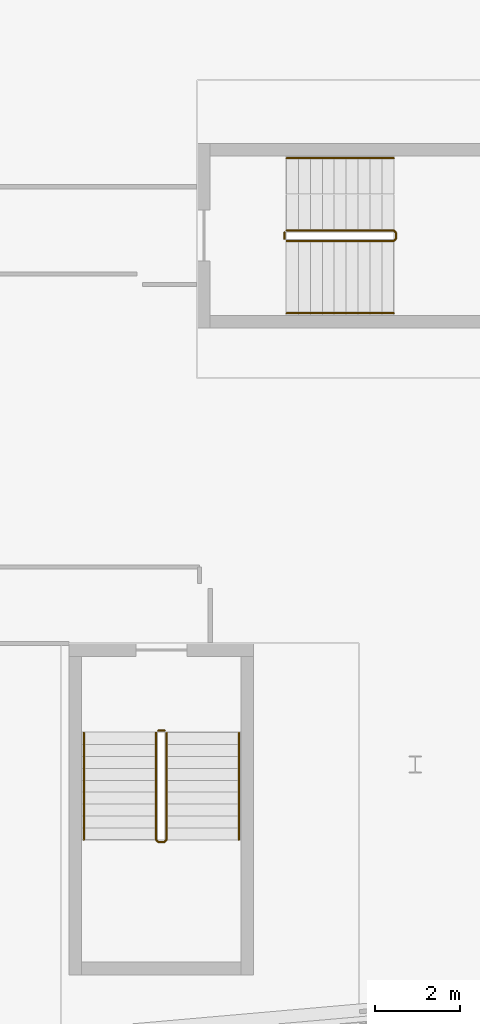
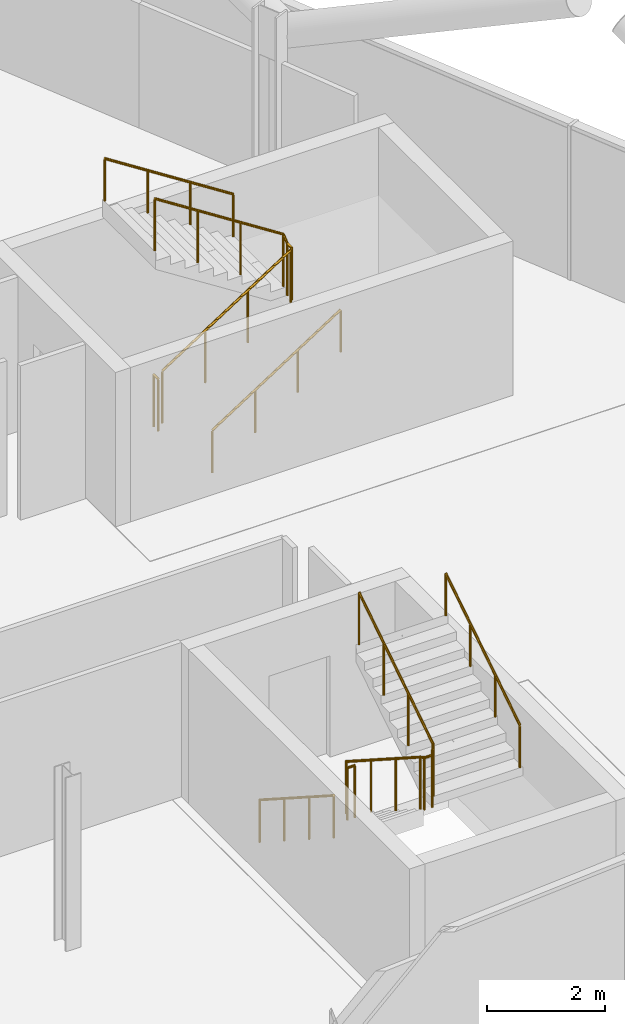
# One storey, part 24 of 25: 8 railings.
"""IFC4 building model written with IfcOpenShell, lengths in metres."""

import ifcopenshell
import ifcopenshell.guid

model = None  # the IFC model being written
_history = None  # IfcOwnerHistory: only IFC2X3 demands one
_inside = {}  # id of a spatial element -> (the spatial element, [elements in it])
_under = {}  # id of a project, library or spatial element -> (it, [spatial elements below it])
_declared = {}  # id of a project -> (the project, [libraries it declares])
_typed = {}  # id of a type object -> (the type object, [elements of that type])
_made_of = {}  # id of a material, layer set ... -> (it, [elements and type objects made of it])


def new_model(schema):
    """Start an empty IFC model of exactly this schema.

    Asked for "IFC4X3", IfcOpenShell would pick the latest addendum, in which some entities
    have other attributes; the version numbers below select the first issue.
    IFC2X3 requires an IfcOwnerHistory on every rooted entity: one is made here for all.
    """
    global model, _history
    if schema == "IFC4X3":
        model = ifcopenshell.file(schema_version=(4, 3, 0, 0))
    else:
        model = ifcopenshell.file(schema=schema)
    _inside.clear()
    _under.clear()
    _declared.clear()
    _typed.clear()
    _made_of.clear()
    _history = None
    if model.schema == "IFC2X3":
        org = make("IfcOrganization", Name="unknown")
        user = make(
            "IfcPersonAndOrganization",
            ThePerson=make("IfcPerson", FamilyName="unknown"),
            TheOrganization=org,
        )
        app = make(
            "IfcApplication",
            ApplicationDeveloper=org,
            Version="unknown",
            ApplicationFullName="unknown",
            ApplicationIdentifier="unknown",
        )
        _history = make(
            "IfcOwnerHistory",
            OwningUser=user,
            OwningApplication=app,
            ChangeAction="ADDED",
            CreationDate=0,
        )
    return model


def make(cls, **values):
    """One entity of the class cls with the attributes given. An attribute that is None is left unset."""
    return model.create_entity(
        cls, **{name: value for name, value in values.items() if value is not None}
    )


def rooted(cls, **values):
    """An entity with a GlobalId (a new one), such as an element, a storey or a relation."""
    return make(cls, GlobalId=ifcopenshell.guid.new(), OwnerHistory=_history, **values)


def si_unit(unit_type, name, prefix=None):
    """IfcSIUnit, for example si_unit("LENGTHUNIT", "METRE", prefix="MILLI")."""
    return make("IfcSIUnit", UnitType=unit_type, Prefix=prefix, Name=name)


def assignment(units):
    """IfcUnitAssignment: the units of a project."""
    return None if units is None else make("IfcUnitAssignment", Units=units)


def point(xyz):
    """IfcCartesianPoint."""
    return None if xyz is None else make("IfcCartesianPoint", Coordinates=xyz)


def direction(xyz):
    """IfcDirection."""
    return None if xyz is None else make("IfcDirection", DirectionRatios=xyz)


def frame(location, z_axis=None, x_axis=None):
    """IfcAxis2Placement3D, a coordinate frame: its origin and axes. An axis left out is left unset."""
    return make(
        "IfcAxis2Placement3D",
        Location=point(location),
        Axis=direction(z_axis),
        RefDirection=direction(x_axis),
    )


def frame_2d(location, x_axis=None):
    """IfcAxis2Placement2D, a coordinate frame in the plane: its origin and x axis."""
    return make(
        "IfcAxis2Placement2D", Location=point(location), RefDirection=direction(x_axis)
    )


def origin():
    """The frame at (0, 0, 0) with its axes left unset."""
    return frame((0.0, 0.0, 0.0))


def origin_2d():
    """The frame at (0, 0) in the plane with its x axis left unset."""
    return frame_2d((0.0, 0.0))


def place(relative_to, where):
    """IfcLocalPlacement: puts the frame where relative to a parent placement (None: the world)."""
    return make(
        "IfcLocalPlacement", PlacementRelTo=relative_to, RelativePlacement=where
    )


def context(
    kind, dimensions, precision=None, world=None, true_north=None, identifier=None
):
    """IfcGeometricRepresentationContext, for example the 3D "Model" context."""
    return make(
        "IfcGeometricRepresentationContext",
        ContextIdentifier=identifier,
        ContextType=kind,
        CoordinateSpaceDimension=dimensions,
        Precision=precision,
        WorldCoordinateSystem=world,
        TrueNorth=true_north,
    )


def subcontext(parent, identifier, kind, view, scale=None):
    """IfcGeometricRepresentationSubContext, for example "Body" below "Model"."""
    return make(
        "IfcGeometricRepresentationSubContext",
        ContextIdentifier=identifier,
        ContextType=kind,
        ParentContext=parent,
        TargetScale=scale,
        TargetView=view,
    )


def project(units=None, contexts=None):
    """IfcProject with its units and contexts."""
    return rooted(
        "IfcProject",
        Name="project",
        RepresentationContexts=contexts,
        UnitsInContext=assignment(units),
    )


def spatial(cls, under=None, at=None, **own):
    """A site, building, storey or space (cls), placed at a placement, below another one or the project."""
    s = rooted(cls, ObjectPlacement=at, **own)
    if under is not None:
        _under.setdefault(under.id(), (under, []))[1].append(s)
    return s


def profile(cls, at=None, kind="AREA", **sizes):
    """A parametric profile (cls). Its sizes go by their IFC names, for example OverallWidth=200.0."""
    return make(cls, ProfileType=kind, Position=at, **sizes)


def circle(**sizes):
    """IfcCircleProfileDef."""
    return profile("IfcCircleProfileDef", **sizes)


def extrude(swept, where, along, depth):
    """IfcExtrudedAreaSolid: the profile swept, set in the frame where, extruded along a direction by depth."""
    return make(
        "IfcExtrudedAreaSolid",
        SweptArea=swept,
        Position=where,
        ExtrudedDirection=direction(along),
        Depth=depth,
    )


def shape(context_of_items, identifier, shape_type, items):
    """IfcShapeRepresentation: the items that make up one representation, for example the "Body"."""
    return make(
        "IfcShapeRepresentation",
        ContextOfItems=context_of_items,
        RepresentationIdentifier=identifier,
        RepresentationType=shape_type,
        Items=items,
    )


def material(Name=None, Category=None):
    """IfcMaterial."""
    return make("IfcMaterial", Name=Name, Category=Category)


def made_of(thing, what):
    """Note that an element or type object is made of a material, layer set ...; save() writes the relation."""
    if what is not None:
        _made_of.setdefault(what.id(), (what, []))[1].append(thing)
    return thing


def type_object(cls, material=None, **own):
    """A type object (cls), such as IfcWallType, which elements share."""
    return made_of(rooted(cls, **own), material)


def element(
    cls,
    number,
    at=None,
    inside=None,
    cuts=None,
    type_object=None,
    material=None,
    context=None,
    identifier="Body",
    shape_type=None,
    held_by="IfcProductDefinitionShape",
    body=None,
    shapes=None,
    **own,
):
    """One element of the class cls, such as IfcWall. Its Tag is "e" and its number.

    at: its placement. inside: the storey or other place that contains it. cuts: it is an
    opening in that element (IfcRelVoidsElement). A single representation is given by context,
    identifier, shape_type and body (its items); several are given by shapes. held_by: the class
    of the entity that holds the representations. save() writes the other relations.
    """
    e = rooted(cls, Tag="e%d" % number, ObjectPlacement=at, **own)
    if body is not None:
        shapes = [shape(context, identifier, shape_type, body)]
    if shapes is not None:
        e.Representation = make(held_by, Representations=shapes)
    if inside is not None:
        _inside.setdefault(inside.id(), (inside, []))[1].append(e)
    if cuts is not None:
        rooted(
            "IfcRelVoidsElement", RelatingBuildingElement=cuts, RelatedOpeningElement=e
        )
    if type_object is not None:
        _typed.setdefault(type_object.id(), (type_object, []))[1].append(e)
    return made_of(e, material)


def aggregate(whole, parts):
    """IfcRelAggregates: a whole, such as a stair, and the parts it consists of."""
    return rooted("IfcRelAggregates", RelatingObject=whole, RelatedObjects=parts)


def save(model, path):
    """Write the relations noted so far, then the file.

    IfcRelAggregates (storeys below a building ...), IfcRelContainedInSpatialStructure (elements
    in a storey), IfcRelDefinesByType, IfcRelAssociatesMaterial and IfcRelDeclares: one each for
    every whole, place, type object, material and project.
    """
    for whole, parts in _under.values():
        aggregate(whole, parts)
    for where, things in _inside.values():
        rooted(
            "IfcRelContainedInSpatialStructure",
            RelatedElements=things,
            RelatingStructure=where,
        )
    for kind, things in _typed.values():
        rooted("IfcRelDefinesByType", RelatedObjects=things, RelatingType=kind)
    for what, things in _made_of.values():
        rooted("IfcRelAssociatesMaterial", RelatedObjects=things, RelatingMaterial=what)
    for by, libraries in _declared.values():
        rooted("IfcRelDeclares", RelatingContext=by, RelatedDefinitions=libraries)
    model.write(path)


model = new_model("IFC4")

# Units and contexts
model_context = context("Model", 3, precision=1e-05, world=origin(), true_north=direction((0.0, 1.0)))
body_context = subcontext(model_context, "Body", "Model", "MODEL_VIEW")
ifc_project = project(units=[si_unit("LENGTHUNIT", "METRE"), si_unit("AREAUNIT", "SQUARE_METRE"), si_unit("VOLUMEUNIT", "CUBIC_METRE"), si_unit("PLANEANGLEUNIT", "RADIAN"), si_unit("MASSUNIT", "GRAM", prefix="KILO")], contexts=[model_context])

# Site, building, storey
site_placement = place(None, origin())
site = spatial("IfcSite", under=ifc_project, at=site_placement, CompositionType="ELEMENT")
building_placement = place(site_placement, origin())
building = spatial("IfcBuilding", under=site, at=building_placement, Name="Wharfspan Tower", CompositionType="ELEMENT")
storey_placement = place(building_placement, frame((0.0, 0.0, 239.5)))
storey = spatial("IfcBuildingStorey", under=building, at=storey_placement, Name="L60", CompositionType="ELEMENT", Elevation=239.5)

# Railings
ifc_material = material(Name="Steel S355J2", Category="steel")
railing_type_1 = type_object("IfcRailingType", Name="Stair guard 1100", PredefinedType="GUARDRAIL", material=ifc_material)
railing_1_placement = place(storey_placement, frame((65.893799, 12.246094, 0.179932)))
element("IfcRailing", 1, at=railing_1_placement, inside=storey, type_object=railing_type_1, Name="L60 ST5 stair guard 1", PredefinedType="GUARDRAIL", context=body_context, shape_type="SweptSolid", body=[
    extrude(circle(Radius=0.023926, at=origin_2d()), frame((0.0, 0.0, 1.076172), z_axis=(0.0, -0.841163, 0.540782), x_axis=(1.0, 0.0, 0.0)), (0.0, 0.0, 1.0), 2.99585),
    extrude(circle(Radius=0.023926, at=origin_2d()), frame((0.0, -2.52002, 2.696289), z_axis=(0.708834, -0.705376, 0.0), x_axis=(0.705376, 0.708834, 0.0)), (0.0, 0.0, 1.0), 0.070557),
    extrude(circle(Radius=0.023926, at=origin_2d()), frame((0.050049, -2.569824, 2.696289), z_axis=(1.0, 0.0, 0.0), x_axis=(0.0, 1.0, 0.0)), (0.0, 0.0, 1.0), 0.149902),
    extrude(circle(Radius=0.023926, at=origin_2d()), frame((0.199951, -2.569824, 2.696289), z_axis=(0.258932, 0.257669, 0.930892), x_axis=(-0.705372, 0.708833, -1e-06)), (0.0, 0.0, 1.0), 0.193359),
    extrude(circle(Radius=0.023926, at=origin_2d()), frame((0.25, -2.52002, 2.875977), z_axis=(0.0, 0.841163, 0.540782), x_axis=(-1.0, 0.0, 0.0)), (0.0, 0.0, 1.0), 2.99585),
    extrude(circle(Radius=0.020996, at=origin_2d()), origin(), (0.0, 0.0, 1.0), 1.052002),
    extrude(circle(Radius=0.020996, at=origin_2d()), frame((0.0, -0.840088, 0.540039)), (0.0, 0.0, 1.0), 1.052002),
    extrude(circle(Radius=0.020996, at=origin_2d()), frame((0.0, -1.679932, 1.080078)), (0.0, 0.0, 1.0), 1.052002),
    extrude(circle(Radius=0.020996, at=origin_2d()), frame((0.0, -2.52002, 1.620117)), (0.0, 0.0, 1.0), 1.052002),
    extrude(circle(Radius=0.020996, at=origin_2d()), frame((0.050049, -2.569824, 1.620117)), (0.0, 0.0, 1.0), 1.052002),
    extrude(circle(Radius=0.020996, at=origin_2d()), frame((0.199951, -2.569824, 1.620117)), (0.0, 0.0, 1.0), 1.052002),
    extrude(circle(Radius=0.020996, at=origin_2d()), frame((0.25, -2.52002, 1.800049)), (0.0, 0.0, 1.0), 1.052002),
    extrude(circle(Radius=0.020996, at=origin_2d()), frame((0.25, -1.679932, 2.340088)), (0.0, 0.0, 1.0), 1.052002),
    extrude(circle(Radius=0.020996, at=origin_2d()), frame((0.25, -0.840088, 2.880127)), (0.0, 0.0, 1.0), 1.052002),
    extrude(circle(Radius=0.020996, at=origin_2d()), frame((0.25, 0.0, 3.420166)), (0.0, 0.0, 1.0), 1.052002),
])
railing_2_placement = place(storey_placement, frame((65.943848, 12.296143, 0.0)))
element("IfcRailing", 2, at=railing_2_placement, inside=storey, type_object=railing_type_1, Name="L60 ST5 stair guard 2", PredefinedType="GUARDRAIL", context=body_context, shape_type="SweptSolid", body=[
    extrude(circle(Radius=0.023926, at=origin_2d()), frame((0.0, 0.0, 1.076172), z_axis=(1.0, 0.0, 0.0), x_axis=(0.0, 1.0, 0.0)), (0.0, 0.0, 1.0), 0.149902),
    extrude(circle(Radius=0.020996, at=origin_2d()), origin(), (0.0, 0.0, 1.0), 1.052002),
    extrude(circle(Radius=0.020996, at=origin_2d()), frame((0.149902, 0.0, 0.0)), (0.0, 0.0, 1.0), 1.052002),
])
railing_3_placement = place(storey_placement, frame((68.969482, 23.824951, 0.179932)))
element("IfcRailing", 3, at=railing_3_placement, inside=storey, type_object=railing_type_1, Name="L60 ST6 stair guard 1", PredefinedType="GUARDRAIL", context=body_context, shape_type="SweptSolid", body=[
    extrude(circle(Radius=0.023926, at=origin_2d()), frame((0.0, 0.0, 1.076172), z_axis=(0.841163, 0.0, 0.540782), x_axis=(0.0, 1.0, 0.0)), (0.0, 0.0, 1.0), 2.99585),
    extrude(circle(Radius=0.023926, at=origin_2d()), frame((2.52002, 0.0, 2.696289), z_axis=(0.707107, 0.707107, 0.0), x_axis=(-0.707107, 0.707107, 0.0)), (0.0, 0.0, 1.0), 0.070801),
    extrude(circle(Radius=0.023926, at=origin_2d()), frame((2.570068, 0.050049, 2.696289), z_axis=(0.0, 1.0, 0.0), x_axis=(-1.0, 0.0, 0.0)), (0.0, 0.0, 1.0), 0.149902),
    extrude(circle(Radius=0.023926, at=origin_2d()), frame((2.570068, 0.199951, 2.696289), z_axis=(-0.258848, 0.258848, 0.930589), x_axis=(-0.707107, -0.707107, 0.0)), (0.0, 0.0, 1.0), 0.193359),
    extrude(circle(Radius=0.023926, at=origin_2d()), frame((2.52002, 0.25, 2.875977), z_axis=(-0.841163, 0.0, 0.540782), x_axis=(0.0, -1.0, 0.0)), (0.0, 0.0, 1.0), 2.99585),
    extrude(circle(Radius=0.020996, at=origin_2d()), origin(), (0.0, 0.0, 1.0), 1.052002),
    extrude(circle(Radius=0.020996, at=origin_2d()), frame((0.840088, 0.0, 0.540039)), (0.0, 0.0, 1.0), 1.052002),
    extrude(circle(Radius=0.020996, at=origin_2d()), frame((1.679932, 0.0, 1.080078)), (0.0, 0.0, 1.0), 1.052002),
    extrude(circle(Radius=0.020996, at=origin_2d()), frame((2.52002, 0.0, 1.620117)), (0.0, 0.0, 1.0), 1.052002),
    extrude(circle(Radius=0.020996, at=origin_2d()), frame((2.570068, 0.050049, 1.620117)), (0.0, 0.0, 1.0), 1.052002),
    extrude(circle(Radius=0.020996, at=origin_2d()), frame((2.570068, 0.199951, 1.620117)), (0.0, 0.0, 1.0), 1.052002),
    extrude(circle(Radius=0.020996, at=origin_2d()), frame((2.52002, 0.25, 1.800049)), (0.0, 0.0, 1.0), 1.052002),
    extrude(circle(Radius=0.020996, at=origin_2d()), frame((1.679932, 0.25, 2.340088)), (0.0, 0.0, 1.0), 1.052002),
    extrude(circle(Radius=0.020996, at=origin_2d()), frame((0.840088, 0.25, 2.880127)), (0.0, 0.0, 1.0), 1.052002),
    extrude(circle(Radius=0.020996, at=origin_2d()), frame((0.0, 0.25, 3.420166)), (0.0, 0.0, 1.0), 1.052002),
])
railing_4_placement = place(storey_placement, frame((68.919678, 23.875, 0.0)))
element("IfcRailing", 4, at=railing_4_placement, inside=storey, type_object=railing_type_1, Name="L60 ST6 stair guard 2", PredefinedType="GUARDRAIL", context=body_context, shape_type="SweptSolid", body=[
    extrude(circle(Radius=0.023926, at=origin_2d()), frame((0.0, 0.0, 1.076172), z_axis=(0.0, 1.0, 0.0), x_axis=(-1.0, 0.0, 0.0)), (0.0, 0.0, 1.0), 0.149902),
    extrude(circle(Radius=0.020996, at=origin_2d()), origin(), (0.0, 0.0, 1.0), 1.052002),
    extrude(circle(Radius=0.020996, at=origin_2d()), frame((0.0, 0.149902, 0.0)), (0.0, 0.0, 1.0), 1.052002),
])
railing_type_2 = type_object("IfcRailingType", Name="Stair handrail 900", PredefinedType="HANDRAIL", material=ifc_material)
railing_5_placement = place(storey_placement, frame((64.193848, 12.246094, 0.179932)))
element("IfcRailing", 5, at=railing_5_placement, inside=storey, type_object=railing_type_2, Name="L60 ST5 stair handrail 1", PredefinedType="HANDRAIL", context=body_context, shape_type="SweptSolid", body=[
    extrude(circle(Radius=0.023926, at=origin_2d()), frame((0.0, 0.0, 0.875977), z_axis=(0.0, -0.841163, 0.540782), x_axis=(1.0, 0.0, 0.0)), (0.0, 0.0, 1.0), 2.99585),
    extrude(circle(Radius=0.020996, at=origin_2d()), origin(), (0.0, 0.0, 1.0), 0.851807),
    extrude(circle(Radius=0.020996, at=origin_2d()), frame((0.0, -0.840088, 0.540039)), (0.0, 0.0, 1.0), 0.851807),
    extrude(circle(Radius=0.020996, at=origin_2d()), frame((0.0, -1.679932, 1.080078)), (0.0, 0.0, 1.0), 0.851807),
    extrude(circle(Radius=0.020996, at=origin_2d()), frame((0.0, -2.52002, 1.620117)), (0.0, 0.0, 1.0), 0.851807),
])
railing_6_placement = place(storey_placement, frame((67.84375, 9.726074, 1.97998)))
element("IfcRailing", 6, at=railing_6_placement, inside=storey, type_object=railing_type_2, Name="L60 ST5 stair handrail 2", PredefinedType="HANDRAIL", context=body_context, shape_type="SweptSolid", body=[
    extrude(circle(Radius=0.023926, at=origin_2d()), frame((0.0, 0.0, 0.875977), z_axis=(0.0, 0.841163, 0.540782), x_axis=(-1.0, 0.0, 0.0)), (0.0, 0.0, 1.0), 2.99585),
    extrude(circle(Radius=0.020996, at=origin_2d()), origin(), (0.0, 0.0, 1.0), 0.851807),
    extrude(circle(Radius=0.020996, at=origin_2d()), frame((0.0, 0.840088, 0.540039)), (0.0, 0.0, 1.0), 0.851807),
    extrude(circle(Radius=0.020996, at=origin_2d()), frame((0.0, 1.679932, 1.080078)), (0.0, 0.0, 1.0), 0.851807),
    extrude(circle(Radius=0.020996, at=origin_2d()), frame((0.0, 2.52002, 1.620117)), (0.0, 0.0, 1.0), 0.851807),
])
railing_7_placement = place(storey_placement, frame((68.969482, 22.125, 0.179932)))
element("IfcRailing", 7, at=railing_7_placement, inside=storey, type_object=railing_type_2, Name="L60 ST6 stair handrail 1", PredefinedType="HANDRAIL", context=body_context, shape_type="SweptSolid", body=[
    extrude(circle(Radius=0.023926, at=origin_2d()), frame((0.0, 0.0, 0.875977), z_axis=(0.841163, 0.0, 0.540782), x_axis=(0.0, 1.0, 0.0)), (0.0, 0.0, 1.0), 2.99585),
    extrude(circle(Radius=0.020996, at=origin_2d()), origin(), (0.0, 0.0, 1.0), 0.851807),
    extrude(circle(Radius=0.020996, at=origin_2d()), frame((0.840088, 0.0, 0.540039)), (0.0, 0.0, 1.0), 0.851807),
    extrude(circle(Radius=0.020996, at=origin_2d()), frame((1.679932, 0.0, 1.080078)), (0.0, 0.0, 1.0), 0.851807),
    extrude(circle(Radius=0.020996, at=origin_2d()), frame((2.52002, 0.0, 1.620117)), (0.0, 0.0, 1.0), 0.851807),
])
railing_8_placement = place(storey_placement, frame((71.489502, 25.774902, 1.97998)))
element("IfcRailing", 8, at=railing_8_placement, inside=storey, type_object=railing_type_2, Name="L60 ST6 stair handrail 2", PredefinedType="HANDRAIL", context=body_context, shape_type="SweptSolid", body=[
    extrude(circle(Radius=0.023926, at=origin_2d()), frame((0.0, 0.0, 0.875977), z_axis=(-0.841163, 0.0, 0.540782), x_axis=(0.0, -1.0, 0.0)), (0.0, 0.0, 1.0), 2.99585),
    extrude(circle(Radius=0.020996, at=origin_2d()), origin(), (0.0, 0.0, 1.0), 0.851807),
    extrude(circle(Radius=0.020996, at=origin_2d()), frame((-0.840088, 0.0, 0.540039)), (0.0, 0.0, 1.0), 0.851807),
    extrude(circle(Radius=0.020996, at=origin_2d()), frame((-1.679932, 0.0, 1.080078)), (0.0, 0.0, 1.0), 0.851807),
    extrude(circle(Radius=0.020996, at=origin_2d()), frame((-2.52002, 0.0, 1.620117)), (0.0, 0.0, 1.0), 0.851807),
])

save(model, "model.ifc")
